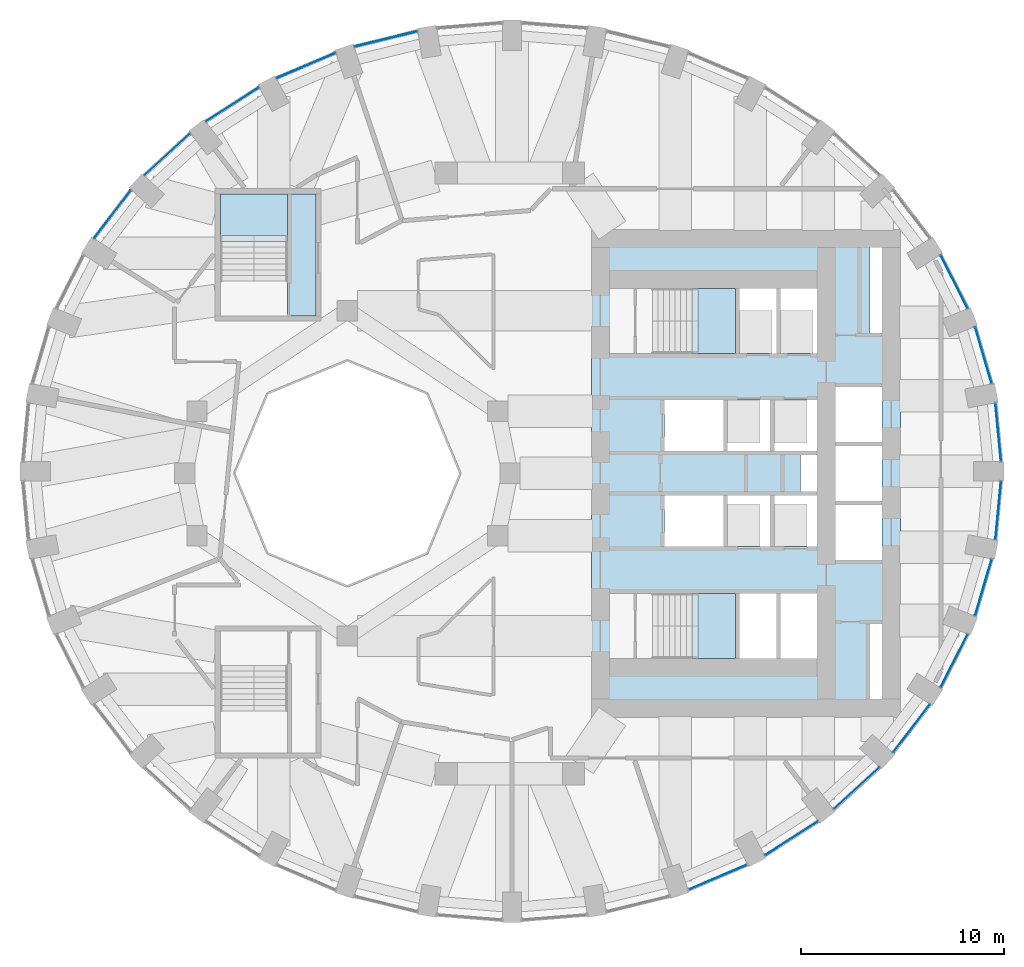
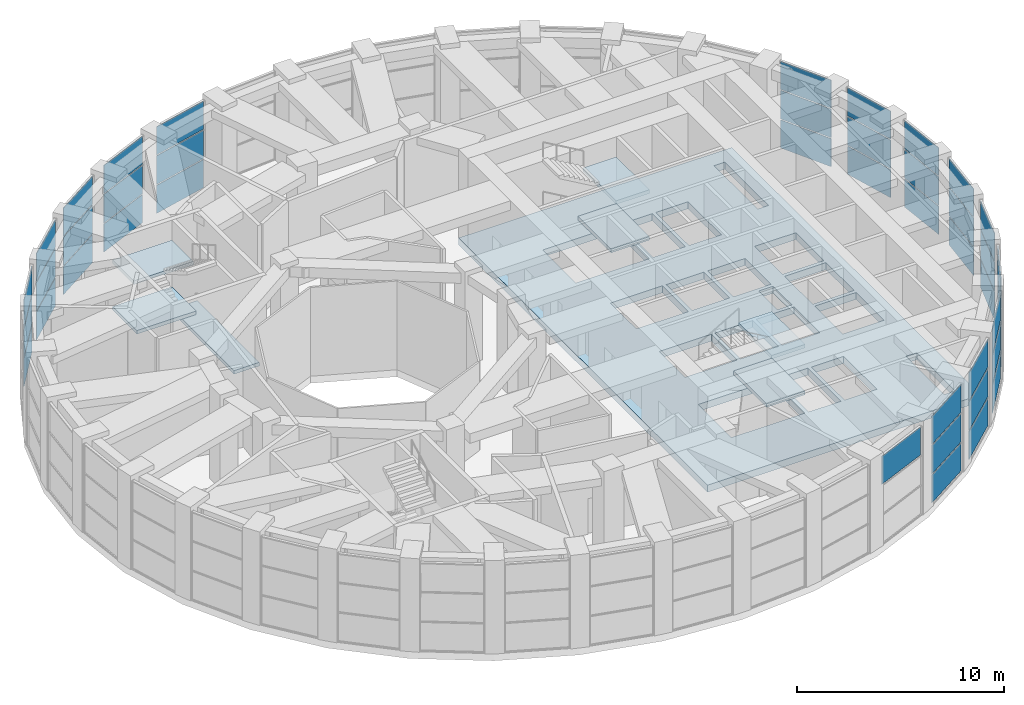
# One storey, part 10 of 17: 43 plates, 8 slabs, 18 elements without a shape of their own.
"""IFC4 building model written with IfcOpenShell, lengths in metres."""

from ifc_helpers import new_model, si_unit, direction, frame, origin, origin_2d, place, context, subcontext, project, spatial, polyline, rectangle, outline, extrude, material, layer, layer_set, type_object, element, aggregate, save


model = new_model("IFC4")

# Units and contexts
model_context = context("Model", 3, precision=1e-05, world=origin(), true_north=direction((0.0, 1.0)))
body_context = subcontext(model_context, "Body", "Model", "MODEL_VIEW")
ifc_project = project(units=[si_unit("LENGTHUNIT", "METRE"), si_unit("AREAUNIT", "SQUARE_METRE"), si_unit("VOLUMEUNIT", "CUBIC_METRE"), si_unit("PLANEANGLEUNIT", "RADIAN"), si_unit("MASSUNIT", "GRAM", prefix="KILO")], contexts=[model_context])

# Site, building, storey
site_placement = place(None, origin())
site = spatial("IfcSite", under=ifc_project, at=site_placement, CompositionType="ELEMENT")
building_placement = place(site_placement, origin())
building = spatial("IfcBuilding", under=site, at=building_placement, Name="Taillehof Tower", CompositionType="ELEMENT")
storey_placement = place(building_placement, frame((0.0, 0.0, 139.60009765625)))
storey = spatial("IfcBuildingStorey", under=building, at=storey_placement, Name="L39", CompositionType="ELEMENT", Elevation=139.60009765625)

# Slab
ifc_material_1 = material(Name="Concrete C40/50", Category="concrete")
ifc_layer_1 = layer(ifc_material_1, 0.409912109375)
ifc_layer_set_1 = layer_set([ifc_layer_1], Name="Core floor slab C40/50 410")
slab_type_1 = type_object("IfcSlabType", Name="Core floor slab C40/50 410", PredefinedType="FLOOR", material=ifc_layer_set_1)
slab_1_placement = place(storey_placement, frame((0.0, 0.0, -0.41015625)))
element("IfcSlab", 1, at=slab_1_placement, inside=storey, type_object=slab_type_1, Name="Core floor L39", PredefinedType="FLOOR", context=body_context, shape_type="SweptSolid", body=[
    extrude(outline(polyline([(4.0, -12.0), (4.0, 12.0), (19.199951171875, 12.0), (19.199951171875, -12.0), (4.0, -12.0)]), holes=[polyline([(7.00048828125, -9.10009765625), (11.10009765625, -9.10009765625), (11.10009765625, -5.89990234375), (7.00048828125, -5.89990234375), (7.00048828125, -9.10009765625)]), polyline([(13.10009765625, -9.10009765625), (13.10009765625, -5.89990234375), (11.300048828125, -5.89990234375), (11.300048828125, -9.10009765625), (13.10009765625, -9.10009765625)]), polyline([(10.5, -3.60009765625), (10.5, -1.10009765625), (7.60009765625, -1.10009765625), (7.60009765625, -3.60009765625), (10.5, -3.60009765625)]), polyline([(12.800048828125, -3.60009765625), (12.800048828125, -1.10009765625), (10.699951171875, -1.10009765625), (10.699951171875, -3.60009765625), (12.800048828125, -3.60009765625)]), polyline([(10.5, 1.10009765625), (10.5, 3.60009765625), (7.60009765625, 3.60009765625), (7.60009765625, 1.10009765625), (10.5, 1.10009765625)]), polyline([(12.800048828125, 1.10009765625), (12.800048828125, 3.60009765625), (10.699951171875, 3.60009765625), (10.699951171875, 1.10009765625), (12.800048828125, 1.10009765625)]), polyline([(15.10009765625, 1.10009765625), (15.10009765625, 3.60009765625), (13.0, 3.60009765625), (13.0, 1.10009765625), (15.10009765625, 1.10009765625)]), polyline([(11.300048828125, 5.89990234375), (13.10009765625, 5.89990234375), (13.10009765625, 9.10009765625), (11.300048828125, 9.10009765625), (11.300048828125, 5.89990234375)]), polyline([(7.00048828125, 5.89990234375), (11.10009765625, 5.89990234375), (11.10009765625, 9.10009765625), (7.00048828125, 9.10009765625), (7.00048828125, 5.89990234375)]), polyline([(18.300048828125, -11.10009765625), (18.300048828125, -7.39990234375), (17.699951171875, -7.39990234375), (17.699951171875, -11.10009765625), (18.300048828125, -11.10009765625)]), polyline([(15.10009765625, -9.10009765625), (15.10009765625, -5.89990234375), (13.300048828125, -5.89990234375), (13.300048828125, -9.10009765625), (15.10009765625, -9.10009765625)]), polyline([(18.300048828125, -4.25), (18.300048828125, -1.550048828125), (16.0, -1.550048828125), (16.0, -4.25), (18.300048828125, -4.25)]), polyline([(15.10009765625, -3.60009765625), (15.10009765625, -1.10009765625), (13.0, -1.10009765625), (13.0, -3.60009765625), (15.10009765625, -3.60009765625)]), polyline([(15.10009765625, -0.89990234375), (15.10009765625, 0.89990234375), (14.300048828125, 0.89990234375), (14.300048828125, -0.89990234375), (15.10009765625, -0.89990234375)]), polyline([(18.300048828125, -1.35009765625), (18.300048828125, 1.35009765625), (16.0, 1.35009765625), (16.0, -1.35009765625), (18.300048828125, -1.35009765625)]), polyline([(18.300048828125, 1.550048828125), (18.300048828125, 4.25), (16.0, 4.25), (16.0, 1.550048828125), (18.300048828125, 1.550048828125)]), polyline([(13.300048828125, 5.89990234375), (15.10009765625, 5.89990234375), (15.10009765625, 9.10009765625), (13.300048828125, 9.10009765625), (13.300048828125, 5.89990234375)]), polyline([(17.699951171875, 6.89990234375), (18.300048828125, 6.89990234375), (18.300048828125, 11.10009765625), (17.699951171875, 11.10009765625), (17.699951171875, 6.89990234375)])]), origin(), (0.0, 0.0, 1.0), 0.41015625),
])

# Curtain wall, plates
ifc_material_2 = material(Name="Aluminium curtain wall with Clear low-emissivity double glazing", Category="aluminium")
curtain_wall_type = type_object("IfcCurtainWallType", Name="Sky lobby curtain wall", PredefinedType="USERDEFINED", material=ifc_material_2)
curtain_wall_1_placement = place(storey_placement, origin())
curtain_wall_1 = element("IfcCurtainWall", 2, at=curtain_wall_1_placement, inside=storey, type_object=curtain_wall_type, Name="Sky lobby L39 bay 1", ObjectType="WINDOW WALL", PredefinedType="USERDEFINED")
ifc_material_3 = material(Name="Clear low-emissivity double glazing", Category="glass")
ifc_layer_2 = layer(ifc_material_3, 0.028076171875)
ifc_layer_set_2 = layer_set([ifc_layer_2], Name="Sky lobby glass panel 28")
plate_type = type_object("IfcPlateType", Name="Sky lobby glass panel 28", PredefinedType="CURTAIN_PANEL", material=ifc_layer_set_2)
plate_1_placement = place(storey_placement, frame((24.015625, 2.023681640625, 0.06005859375), z_axis=(0.0, 0.0, 1.0), x_axis=(-0.095196732748, 0.995458478328, 0.0)))
plate_1 = element("IfcPlate", 3, at=plate_1_placement, type_object=plate_type, Name="CT3C01 panel 1.1", PredefinedType="CURTAIN_PANEL", context=body_context, shape_type="SweptSolid", body=[
    extrude(rectangle(XDim=2.83056640625, YDim=0.028076171875, at=origin_2d()), origin(), (0.0, 0.0, 1.0), 1.64990234375),
])
plate_2_placement = place(storey_placement, frame((24.015625, 2.023681640625, 1.77001953125), z_axis=(0.0, 0.0, 1.0), x_axis=(-0.095196732748, 0.995458478328, 0.0)))
plate_2 = element("IfcPlate", 4, at=plate_2_placement, type_object=plate_type, Name="CT3C01 panel 1.2", PredefinedType="CURTAIN_PANEL", context=body_context, shape_type="SweptSolid", body=[
    extrude(rectangle(XDim=2.83056640625, YDim=0.028076171875, at=origin_2d()), origin(), (0.0, 0.0, 1.0), 1.679931640625),
])
plate_3_placement = place(storey_placement, frame((24.015625, 2.023681640625, 3.510009765625), z_axis=(0.0, 0.0, 1.0), x_axis=(-0.095196732748, 0.995458478328, 0.0)))
plate_3 = element("IfcPlate", 5, at=plate_3_placement, type_object=plate_type, Name="CT3C01 panel 1.3", PredefinedType="CURTAIN_PANEL", context=body_context, shape_type="SweptSolid", body=[
    extrude(rectangle(XDim=2.83056640625, YDim=0.028076171875, at=origin_2d()), origin(), (0.0, 0.0, 1.0), 1.64990234375),
])
aggregate(curtain_wall_1, [plate_1, plate_2, plate_3])

curtain_wall_2_placement = place(storey_placement, origin())
curtain_wall_2 = element("IfcCurtainWall", 6, at=curtain_wall_2_placement, inside=storey, type_object=curtain_wall_type, Name="Sky lobby L39 bay 2", ObjectType="WINDOW WALL", PredefinedType="USERDEFINED")
plate_4_placement = place(storey_placement, frame((23.28564453125, 5.811767578125, 0.06005859375), z_axis=(0.0, 0.0, 1.0), x_axis=(-0.281079610563, 0.959684454665, 0.0)))
plate_4 = element("IfcPlate", 7, at=plate_4_placement, type_object=plate_type, Name="CT3C02 panel 1.1", PredefinedType="CURTAIN_PANEL", context=body_context, shape_type="SweptSolid", body=[
    extrude(rectangle(XDim=2.85107421875, YDim=0.028076171875, at=origin_2d()), origin(), (0.0, 0.0, 1.0), 1.64990234375),
])
plate_5_placement = place(storey_placement, frame((23.28564453125, 5.811767578125, 1.77001953125), z_axis=(0.0, 0.0, 1.0), x_axis=(-0.281079610563, 0.959684454665, 0.0)))
plate_5 = element("IfcPlate", 8, at=plate_5_placement, type_object=plate_type, Name="CT3C02 panel 1.2", PredefinedType="CURTAIN_PANEL", context=body_context, shape_type="SweptSolid", body=[
    extrude(rectangle(XDim=2.85107421875, YDim=0.028076171875, at=origin_2d()), origin(), (0.0, 0.0, 1.0), 1.679931640625),
])
plate_6_placement = place(storey_placement, frame((23.28564453125, 5.811767578125, 3.510009765625), z_axis=(0.0, 0.0, 1.0), x_axis=(-0.281079610563, 0.959684454665, 0.0)))
plate_6 = element("IfcPlate", 9, at=plate_6_placement, type_object=plate_type, Name="CT3C02 panel 1.3", PredefinedType="CURTAIN_PANEL", context=body_context, shape_type="SweptSolid", body=[
    extrude(rectangle(XDim=2.85107421875, YDim=0.028076171875, at=origin_2d()), origin(), (0.0, 0.0, 1.0), 1.64990234375),
])
aggregate(curtain_wall_2, [plate_4, plate_5, plate_6])

curtain_wall_3_placement = place(storey_placement, origin())
curtain_wall_3 = element("IfcCurtainWall", 10, at=curtain_wall_3_placement, inside=storey, type_object=curtain_wall_type, Name="Sky lobby L39 bay 3", ObjectType="WINDOW WALL", PredefinedType="USERDEFINED")
plate_7_placement = place(storey_placement, frame((21.848876953125, 9.423583984375, 0.06005859375), z_axis=(0.0, 0.0, 1.0), x_axis=(-0.454121193276, 0.890939920431, 0.0)))
plate_7 = element("IfcPlate", 11, at=plate_7_placement, type_object=plate_type, Name="CT3C03 panel 1.1", PredefinedType="CURTAIN_PANEL", context=body_context, shape_type="SweptSolid", body=[
    extrude(rectangle(XDim=2.888916015625, YDim=0.028076171875, at=origin_2d()), origin(), (0.0, 0.0, 1.0), 1.64990234375),
])
plate_8_placement = place(storey_placement, frame((21.848876953125, 9.423583984375, 1.77001953125), z_axis=(0.0, 0.0, 1.0), x_axis=(-0.454121193276, 0.890939920431, 0.0)))
plate_8 = element("IfcPlate", 12, at=plate_8_placement, type_object=plate_type, Name="CT3C03 panel 1.2", PredefinedType="CURTAIN_PANEL", context=body_context, shape_type="SweptSolid", body=[
    extrude(rectangle(XDim=2.888916015625, YDim=0.028076171875, at=origin_2d()), origin(), (0.0, 0.0, 1.0), 1.679931640625),
])
plate_9_placement = place(storey_placement, frame((21.848876953125, 9.423583984375, 3.510009765625), z_axis=(0.0, 0.0, 1.0), x_axis=(-0.454121193276, 0.890939920431, 0.0)))
plate_9 = element("IfcPlate", 13, at=plate_9_placement, type_object=plate_type, Name="CT3C03 panel 1.3", PredefinedType="CURTAIN_PANEL", context=body_context, shape_type="SweptSolid", body=[
    extrude(rectangle(XDim=2.888916015625, YDim=0.028076171875, at=origin_2d()), origin(), (0.0, 0.0, 1.0), 1.64990234375),
])
aggregate(curtain_wall_3, [plate_7, plate_8, plate_9])

curtain_wall_4_placement = place(storey_placement, origin())
curtain_wall_4 = element("IfcCurtainWall", 14, at=curtain_wall_4_placement, inside=storey, type_object=curtain_wall_type, Name="Sky lobby L39 bay 11", ObjectType="WINDOW WALL", PredefinedType="USERDEFINED")
plate_10_placement = place(storey_placement, frame((-6.100830078125, 21.369140625, 0.06005859375), z_axis=(0.0, 0.0, 1.0), x_axis=(-0.971246214424, -0.238077279402, 0.0)))
plate_10 = element("IfcPlate", 15, at=plate_10_placement, type_object=plate_type, Name="CT3C11 panel 1.1", PredefinedType="CURTAIN_PANEL", context=body_context, shape_type="SweptSolid", body=[
    extrude(rectangle(XDim=3.13720703125, YDim=0.028076171875, at=origin_2d()), origin(), (0.0, 0.0, 1.0), 1.64990234375),
])
plate_11_placement = place(storey_placement, frame((-6.100830078125, 21.369140625, 1.77001953125), z_axis=(0.0, 0.0, 1.0), x_axis=(-0.971246214424, -0.238077279402, 0.0)))
plate_11 = element("IfcPlate", 16, at=plate_11_placement, type_object=plate_type, Name="CT3C11 panel 1.2", PredefinedType="CURTAIN_PANEL", context=body_context, shape_type="SweptSolid", body=[
    extrude(rectangle(XDim=3.13720703125, YDim=0.028076171875, at=origin_2d()), origin(), (0.0, 0.0, 1.0), 1.679931640625),
])
plate_12_placement = place(storey_placement, frame((-6.100830078125, 21.369140625, 3.510009765625), z_axis=(0.0, 0.0, 1.0), x_axis=(-0.971246214424, -0.238077279402, 0.0)))
plate_12 = element("IfcPlate", 17, at=plate_12_placement, type_object=plate_type, Name="CT3C11 panel 1.3", PredefinedType="CURTAIN_PANEL", context=body_context, shape_type="SweptSolid", body=[
    extrude(rectangle(XDim=3.13720703125, YDim=0.028076171875, at=origin_2d()), origin(), (0.0, 0.0, 1.0), 1.64990234375),
])
aggregate(curtain_wall_4, [plate_10, plate_11, plate_12])

curtain_wall_5_placement = place(storey_placement, origin())
curtain_wall_5 = element("IfcCurtainWall", 18, at=curtain_wall_5_placement, inside=storey, type_object=curtain_wall_type, Name="Sky lobby L39 bay 12", ObjectType="WINDOW WALL", PredefinedType="USERDEFINED")
plate_13_placement = place(storey_placement, frame((-10.027587890625, 20.0615234375, 0.06005859375), z_axis=(0.0, 0.0, 1.0), x_axis=(-0.919803722368, -0.392378786783, 0.0)))
plate_13 = element("IfcPlate", 19, at=plate_13_placement, type_object=plate_type, Name="CT3C12 panel 1.1", PredefinedType="CURTAIN_PANEL", context=body_context, shape_type="SweptSolid", body=[
    extrude(rectangle(XDim=3.101318359375, YDim=0.028076171875, at=origin_2d()), origin(), (0.0, 0.0, 1.0), 1.64990234375),
])
plate_14_placement = place(storey_placement, frame((-10.027587890625, 20.0615234375, 1.77001953125), z_axis=(0.0, 0.0, 1.0), x_axis=(-0.919803722368, -0.392378786783, 0.0)))
plate_14 = element("IfcPlate", 20, at=plate_14_placement, type_object=plate_type, Name="CT3C12 panel 1.2", PredefinedType="CURTAIN_PANEL", context=body_context, shape_type="SweptSolid", body=[
    extrude(rectangle(XDim=3.101318359375, YDim=0.028076171875, at=origin_2d()), origin(), (0.0, 0.0, 1.0), 1.679931640625),
])
plate_15_placement = place(storey_placement, frame((-10.027587890625, 20.0615234375, 3.510009765625), z_axis=(0.0, 0.0, 1.0), x_axis=(-0.919803722368, -0.392378786783, 0.0)))
plate_15 = element("IfcPlate", 21, at=plate_15_placement, type_object=plate_type, Name="CT3C12 panel 1.3", PredefinedType="CURTAIN_PANEL", context=body_context, shape_type="SweptSolid", body=[
    extrude(rectangle(XDim=3.101318359375, YDim=0.028076171875, at=origin_2d()), origin(), (0.0, 0.0, 1.0), 1.64990234375),
])
aggregate(curtain_wall_5, [plate_13, plate_14, plate_15])

curtain_wall_6_placement = place(storey_placement, origin())
curtain_wall_6 = element("IfcCurtainWall", 22, at=curtain_wall_6_placement, inside=storey, type_object=curtain_wall_type, Name="Sky lobby L39 bay 13", ObjectType="WINDOW WALL", PredefinedType="USERDEFINED")
plate_16_placement = place(storey_placement, frame((-13.649169921875, 18.1484375, 0.06005859375), z_axis=(0.0, 0.0, 1.0), x_axis=(-0.842053210263, -0.539394467052, 0.0)))
plate_16 = element("IfcPlate", 23, at=plate_16_placement, type_object=plate_type, Name="CT3C13 panel 1.1", PredefinedType="CURTAIN_PANEL", context=body_context, shape_type="SweptSolid", body=[
    extrude(rectangle(XDim=3.052490234375, YDim=0.028076171875, at=origin_2d()), origin(), (0.0, 0.0, 1.0), 1.64990234375),
])
plate_17_placement = place(storey_placement, frame((-13.649169921875, 18.1484375, 1.77001953125), z_axis=(0.0, 0.0, 1.0), x_axis=(-0.842053210263, -0.539394467052, 0.0)))
plate_17 = element("IfcPlate", 24, at=plate_17_placement, type_object=plate_type, Name="CT3C13 panel 1.2", PredefinedType="CURTAIN_PANEL", context=body_context, shape_type="SweptSolid", body=[
    extrude(rectangle(XDim=3.052490234375, YDim=0.028076171875, at=origin_2d()), origin(), (0.0, 0.0, 1.0), 1.679931640625),
])
plate_18_placement = place(storey_placement, frame((-13.649169921875, 18.1484375, 3.510009765625), z_axis=(0.0, 0.0, 1.0), x_axis=(-0.842053210263, -0.539394467052, 0.0)))
plate_18 = element("IfcPlate", 25, at=plate_18_placement, type_object=plate_type, Name="CT3C13 panel 1.3", PredefinedType="CURTAIN_PANEL", context=body_context, shape_type="SweptSolid", body=[
    extrude(rectangle(XDim=3.052490234375, YDim=0.028076171875, at=origin_2d()), origin(), (0.0, 0.0, 1.0), 1.64990234375),
])
aggregate(curtain_wall_6, [plate_16, plate_17, plate_18])

curtain_wall_7_placement = place(storey_placement, origin())
curtain_wall_7 = element("IfcCurtainWall", 26, at=curtain_wall_7_placement, inside=storey, type_object=curtain_wall_type, Name="Sky lobby L39 bay 14", ObjectType="WINDOW WALL", PredefinedType="USERDEFINED")
plate_19_placement = place(storey_placement, frame((-16.856201171875, 15.686279296875, 0.06005859375), z_axis=(0.0, 0.0, 1.0), x_axis=(-0.737826725413, -0.674990165311, 0.0)))
plate_19 = element("IfcPlate", 27, at=plate_19_placement, type_object=plate_type, Name="CT3C14 panel 1.1", PredefinedType="CURTAIN_PANEL", context=body_context, shape_type="SweptSolid", body=[
    extrude(rectangle(XDim=2.996337890625, YDim=0.028076171875, at=origin_2d()), origin(), (0.0, 0.0, 1.0), 1.64990234375),
])
plate_20_placement = place(storey_placement, frame((-16.856201171875, 15.686279296875, 1.77001953125), z_axis=(0.0, 0.0, 1.0), x_axis=(-0.737826725413, -0.674990165311, 0.0)))
plate_20 = element("IfcPlate", 28, at=plate_20_placement, type_object=plate_type, Name="CT3C14 panel 1.2", PredefinedType="CURTAIN_PANEL", context=body_context, shape_type="SweptSolid", body=[
    extrude(rectangle(XDim=2.996337890625, YDim=0.028076171875, at=origin_2d()), origin(), (0.0, 0.0, 1.0), 1.679931640625),
])
plate_21_placement = place(storey_placement, frame((-16.856201171875, 15.686279296875, 3.510009765625), z_axis=(0.0, 0.0, 1.0), x_axis=(-0.737826725413, -0.674990165311, 0.0)))
plate_21 = element("IfcPlate", 29, at=plate_21_placement, type_object=plate_type, Name="CT3C14 panel 1.3", PredefinedType="CURTAIN_PANEL", context=body_context, shape_type="SweptSolid", body=[
    extrude(rectangle(XDim=2.996337890625, YDim=0.028076171875, at=origin_2d()), origin(), (0.0, 0.0, 1.0), 1.64990234375),
])
aggregate(curtain_wall_7, [plate_19, plate_20, plate_21])

curtain_wall_8_placement = place(storey_placement, origin())
curtain_wall_8 = element("IfcCurtainWall", 30, at=curtain_wall_8_placement, inside=storey, type_object=curtain_wall_type, Name="Sky lobby L39 bay 15", ObjectType="WINDOW WALL", PredefinedType="USERDEFINED")
plate_22_placement = place(storey_placement, frame((-19.550537109375, 12.748779296875, 0.06005859375), z_axis=(0.0, 0.0, 1.0), x_axis=(-0.607790899725, -0.794097111323, 0.0)))
plate_22 = element("IfcPlate", 31, at=plate_22_placement, type_object=plate_type, Name="CT3C15 panel 1.1", PredefinedType="CURTAIN_PANEL", context=body_context, shape_type="SweptSolid", body=[
    extrude(rectangle(XDim=2.939453125, YDim=0.028076171875, at=origin_2d()), origin(), (0.0, 0.0, 1.0), 1.64990234375),
])
plate_23_placement = place(storey_placement, frame((-19.550537109375, 12.748779296875, 1.77001953125), z_axis=(0.0, 0.0, 1.0), x_axis=(-0.607790899725, -0.794097111323, 0.0)))
plate_23 = element("IfcPlate", 32, at=plate_23_placement, type_object=plate_type, Name="CT3C15 panel 1.2", PredefinedType="CURTAIN_PANEL", context=body_context, shape_type="SweptSolid", body=[
    extrude(rectangle(XDim=2.939453125, YDim=0.028076171875, at=origin_2d()), origin(), (0.0, 0.0, 1.0), 1.679931640625),
])
plate_24_placement = place(storey_placement, frame((-19.550537109375, 12.748779296875, 3.510009765625), z_axis=(0.0, 0.0, 1.0), x_axis=(-0.607790899725, -0.794097111323, 0.0)))
plate_24 = element("IfcPlate", 33, at=plate_24_placement, type_object=plate_type, Name="CT3C15 panel 1.3", PredefinedType="CURTAIN_PANEL", context=body_context, shape_type="SweptSolid", body=[
    extrude(rectangle(XDim=2.939453125, YDim=0.028076171875, at=origin_2d()), origin(), (0.0, 0.0, 1.0), 1.64990234375),
])
aggregate(curtain_wall_8, [plate_22, plate_23, plate_24])

# Curtain wall, plate
curtain_wall_9_placement = place(storey_placement, origin())
curtain_wall_9 = element("IfcCurtainWall", 34, at=curtain_wall_9_placement, inside=storey, type_object=curtain_wall_type, Name="Sky lobby L39 bay 30", ObjectType="WINDOW WALL", PredefinedType="USERDEFINED")
plate_25_placement = place(storey_placement, frame((10.2275390625, -19.861572265625, 3.510009765625), z_axis=(0.0, 0.0, 1.0), x_axis=(0.919803722368, 0.392378786783, 0.0)))
plate_25 = element("IfcPlate", 35, at=plate_25_placement, type_object=plate_type, Name="CT3C30 panel 1.3", PredefinedType="CURTAIN_PANEL", context=body_context, shape_type="SweptSolid", body=[
    extrude(rectangle(XDim=3.101318359375, YDim=0.028076171875, at=origin_2d()), origin(), (0.0, 0.0, 1.0), 1.64990234375),
])
aggregate(curtain_wall_9, [plate_25])

# Curtain wall, plates
curtain_wall_10_placement = place(storey_placement, origin())
curtain_wall_10 = element("IfcCurtainWall", 36, at=curtain_wall_10_placement, inside=storey, type_object=curtain_wall_type, Name="Sky lobby L39 bay 31", ObjectType="WINDOW WALL", PredefinedType="USERDEFINED")
plate_26_placement = place(storey_placement, frame((13.849365234375, -17.948486328125, 0.06005859375), z_axis=(0.0, 0.0, 1.0), x_axis=(0.842053210263, 0.539394467052, 0.0)))
plate_26 = element("IfcPlate", 37, at=plate_26_placement, type_object=plate_type, Name="CT3C31 panel 1.1", PredefinedType="CURTAIN_PANEL", context=body_context, shape_type="SweptSolid", body=[
    extrude(rectangle(XDim=3.052490234375, YDim=0.028076171875, at=origin_2d()), origin(), (0.0, 0.0, 1.0), 1.64990234375),
])
plate_27_placement = place(storey_placement, frame((13.849365234375, -17.948486328125, 1.77001953125), z_axis=(0.0, 0.0, 1.0), x_axis=(0.842053210263, 0.539394467052, 0.0)))
plate_27 = element("IfcPlate", 38, at=plate_27_placement, type_object=plate_type, Name="CT3C31 panel 1.2", PredefinedType="CURTAIN_PANEL", context=body_context, shape_type="SweptSolid", body=[
    extrude(rectangle(XDim=3.052490234375, YDim=0.028076171875, at=origin_2d()), origin(), (0.0, 0.0, 1.0), 1.679931640625),
])
plate_28_placement = place(storey_placement, frame((13.849365234375, -17.948486328125, 3.510009765625), z_axis=(0.0, 0.0, 1.0), x_axis=(0.842053210263, 0.539394467052, 0.0)))
plate_28 = element("IfcPlate", 39, at=plate_28_placement, type_object=plate_type, Name="CT3C31 panel 1.3", PredefinedType="CURTAIN_PANEL", context=body_context, shape_type="SweptSolid", body=[
    extrude(rectangle(XDim=3.052490234375, YDim=0.028076171875, at=origin_2d()), origin(), (0.0, 0.0, 1.0), 1.64990234375),
])
aggregate(curtain_wall_10, [plate_26, plate_27, plate_28])

curtain_wall_11_placement = place(storey_placement, origin())
curtain_wall_11 = element("IfcCurtainWall", 40, at=curtain_wall_11_placement, inside=storey, type_object=curtain_wall_type, Name="Sky lobby L39 bay 32", ObjectType="WINDOW WALL", PredefinedType="USERDEFINED")
plate_29_placement = place(storey_placement, frame((17.056396484375, -15.486328125, 0.06005859375), z_axis=(0.0, 0.0, 1.0), x_axis=(0.737826725413, 0.674990165311, 0.0)))
plate_29 = element("IfcPlate", 41, at=plate_29_placement, type_object=plate_type, Name="CT3C32 panel 1.1", PredefinedType="CURTAIN_PANEL", context=body_context, shape_type="SweptSolid", body=[
    extrude(rectangle(XDim=2.996337890625, YDim=0.028076171875, at=origin_2d()), origin(), (0.0, 0.0, 1.0), 1.64990234375),
])
plate_30_placement = place(storey_placement, frame((17.056396484375, -15.486328125, 1.77001953125), z_axis=(0.0, 0.0, 1.0), x_axis=(0.737826725413, 0.674990165311, 0.0)))
plate_30 = element("IfcPlate", 42, at=plate_30_placement, type_object=plate_type, Name="CT3C32 panel 1.2", PredefinedType="CURTAIN_PANEL", context=body_context, shape_type="SweptSolid", body=[
    extrude(rectangle(XDim=2.996337890625, YDim=0.028076171875, at=origin_2d()), origin(), (0.0, 0.0, 1.0), 1.679931640625),
])
plate_31_placement = place(storey_placement, frame((17.056396484375, -15.486328125, 3.510009765625), z_axis=(0.0, 0.0, 1.0), x_axis=(0.737826725413, 0.674990165311, 0.0)))
plate_31 = element("IfcPlate", 43, at=plate_31_placement, type_object=plate_type, Name="CT3C32 panel 1.3", PredefinedType="CURTAIN_PANEL", context=body_context, shape_type="SweptSolid", body=[
    extrude(rectangle(XDim=2.996337890625, YDim=0.028076171875, at=origin_2d()), origin(), (0.0, 0.0, 1.0), 1.64990234375),
])
aggregate(curtain_wall_11, [plate_29, plate_30, plate_31])

curtain_wall_12_placement = place(storey_placement, origin())
curtain_wall_12 = element("IfcCurtainWall", 44, at=curtain_wall_12_placement, inside=storey, type_object=curtain_wall_type, Name="Sky lobby L39 bay 33", ObjectType="WINDOW WALL", PredefinedType="USERDEFINED")
plate_32_placement = place(storey_placement, frame((19.75048828125, -12.548583984375, 0.06005859375), z_axis=(0.0, 0.0, 1.0), x_axis=(0.607790899725, 0.794097111323, 0.0)))
plate_32 = element("IfcPlate", 45, at=plate_32_placement, type_object=plate_type, Name="CT3C33 panel 1.1", PredefinedType="CURTAIN_PANEL", context=body_context, shape_type="SweptSolid", body=[
    extrude(rectangle(XDim=2.939453125, YDim=0.028076171875, at=origin_2d()), origin(), (0.0, 0.0, 1.0), 1.64990234375),
])
plate_33_placement = place(storey_placement, frame((19.75048828125, -12.548583984375, 1.77001953125), z_axis=(0.0, 0.0, 1.0), x_axis=(0.607790899725, 0.794097111323, 0.0)))
plate_33 = element("IfcPlate", 46, at=plate_33_placement, type_object=plate_type, Name="CT3C33 panel 1.2", PredefinedType="CURTAIN_PANEL", context=body_context, shape_type="SweptSolid", body=[
    extrude(rectangle(XDim=2.939453125, YDim=0.028076171875, at=origin_2d()), origin(), (0.0, 0.0, 1.0), 1.679931640625),
])
plate_34_placement = place(storey_placement, frame((19.75048828125, -12.548583984375, 3.510009765625), z_axis=(0.0, 0.0, 1.0), x_axis=(0.607790899725, 0.794097111323, 0.0)))
plate_34 = element("IfcPlate", 47, at=plate_34_placement, type_object=plate_type, Name="CT3C33 panel 1.3", PredefinedType="CURTAIN_PANEL", context=body_context, shape_type="SweptSolid", body=[
    extrude(rectangle(XDim=2.939453125, YDim=0.028076171875, at=origin_2d()), origin(), (0.0, 0.0, 1.0), 1.64990234375),
])
aggregate(curtain_wall_12, [plate_32, plate_33, plate_34])

curtain_wall_13_placement = place(storey_placement, origin())
curtain_wall_13 = element("IfcCurtainWall", 48, at=curtain_wall_13_placement, inside=storey, type_object=curtain_wall_type, Name="Sky lobby L39 bay 34", ObjectType="WINDOW WALL", PredefinedType="USERDEFINED")
plate_35_placement = place(storey_placement, frame((21.848876953125, -9.2236328125, 0.06005859375), z_axis=(0.0, 0.0, 1.0), x_axis=(0.454121193276, 0.890939920431, 0.0)))
plate_35 = element("IfcPlate", 49, at=plate_35_placement, type_object=plate_type, Name="CT3C34 panel 1.1", PredefinedType="CURTAIN_PANEL", context=body_context, shape_type="SweptSolid", body=[
    extrude(rectangle(XDim=2.888916015625, YDim=0.028076171875, at=origin_2d()), origin(), (0.0, 0.0, 1.0), 1.64990234375),
])
plate_36_placement = place(storey_placement, frame((21.848876953125, -9.2236328125, 1.77001953125), z_axis=(0.0, 0.0, 1.0), x_axis=(0.454121193276, 0.890939920431, 0.0)))
plate_36 = element("IfcPlate", 50, at=plate_36_placement, type_object=plate_type, Name="CT3C34 panel 1.2", PredefinedType="CURTAIN_PANEL", context=body_context, shape_type="SweptSolid", body=[
    extrude(rectangle(XDim=2.888916015625, YDim=0.028076171875, at=origin_2d()), origin(), (0.0, 0.0, 1.0), 1.679931640625),
])
plate_37_placement = place(storey_placement, frame((21.848876953125, -9.2236328125, 3.510009765625), z_axis=(0.0, 0.0, 1.0), x_axis=(0.454121193276, 0.890939920431, 0.0)))
plate_37 = element("IfcPlate", 51, at=plate_37_placement, type_object=plate_type, Name="CT3C34 panel 1.3", PredefinedType="CURTAIN_PANEL", context=body_context, shape_type="SweptSolid", body=[
    extrude(rectangle(XDim=2.888916015625, YDim=0.028076171875, at=origin_2d()), origin(), (0.0, 0.0, 1.0), 1.64990234375),
])
aggregate(curtain_wall_13, [plate_35, plate_36, plate_37])

curtain_wall_14_placement = place(storey_placement, origin())
curtain_wall_14 = element("IfcCurtainWall", 52, at=curtain_wall_14_placement, inside=storey, type_object=curtain_wall_type, Name="Sky lobby L39 bay 35", ObjectType="WINDOW WALL", PredefinedType="USERDEFINED")
plate_38_placement = place(storey_placement, frame((23.28564453125, -5.611572265625, 0.06005859375), z_axis=(0.0, 0.0, 1.0), x_axis=(0.281079610563, 0.959684454665, 0.0)))
plate_38 = element("IfcPlate", 53, at=plate_38_placement, type_object=plate_type, Name="CT3C35 panel 1.1", PredefinedType="CURTAIN_PANEL", context=body_context, shape_type="SweptSolid", body=[
    extrude(rectangle(XDim=2.85107421875, YDim=0.028076171875, at=origin_2d()), origin(), (0.0, 0.0, 1.0), 1.64990234375),
])
plate_39_placement = place(storey_placement, frame((23.28564453125, -5.611572265625, 1.77001953125), z_axis=(0.0, 0.0, 1.0), x_axis=(0.281079610563, 0.959684454665, 0.0)))
plate_39 = element("IfcPlate", 54, at=plate_39_placement, type_object=plate_type, Name="CT3C35 panel 1.2", PredefinedType="CURTAIN_PANEL", context=body_context, shape_type="SweptSolid", body=[
    extrude(rectangle(XDim=2.85107421875, YDim=0.028076171875, at=origin_2d()), origin(), (0.0, 0.0, 1.0), 1.679931640625),
])
plate_40_placement = place(storey_placement, frame((23.28564453125, -5.611572265625, 3.510009765625), z_axis=(0.0, 0.0, 1.0), x_axis=(0.281079610563, 0.959684454665, 0.0)))
plate_40 = element("IfcPlate", 55, at=plate_40_placement, type_object=plate_type, Name="CT3C35 panel 1.3", PredefinedType="CURTAIN_PANEL", context=body_context, shape_type="SweptSolid", body=[
    extrude(rectangle(XDim=2.85107421875, YDim=0.028076171875, at=origin_2d()), origin(), (0.0, 0.0, 1.0), 1.64990234375),
])
aggregate(curtain_wall_14, [plate_38, plate_39, plate_40])

curtain_wall_15_placement = place(storey_placement, origin())
curtain_wall_15 = element("IfcCurtainWall", 56, at=curtain_wall_15_placement, inside=storey, type_object=curtain_wall_type, Name="Sky lobby L39 bay 36", ObjectType="WINDOW WALL", PredefinedType="USERDEFINED")
plate_41_placement = place(storey_placement, frame((24.015625, -1.82373046875, 0.06005859375), z_axis=(0.0, 0.0, 1.0), x_axis=(0.095196732748, 0.995458478328, 0.0)))
plate_41 = element("IfcPlate", 57, at=plate_41_placement, type_object=plate_type, Name="CT3C36 panel 1.1", PredefinedType="CURTAIN_PANEL", context=body_context, shape_type="SweptSolid", body=[
    extrude(rectangle(XDim=2.83056640625, YDim=0.028076171875, at=origin_2d()), origin(), (0.0, 0.0, 1.0), 1.64990234375),
])
plate_42_placement = place(storey_placement, frame((24.015625, -1.82373046875, 1.77001953125), z_axis=(0.0, 0.0, 1.0), x_axis=(0.095196732748, 0.995458478328, 0.0)))
plate_42 = element("IfcPlate", 58, at=plate_42_placement, type_object=plate_type, Name="CT3C36 panel 1.2", PredefinedType="CURTAIN_PANEL", context=body_context, shape_type="SweptSolid", body=[
    extrude(rectangle(XDim=2.83056640625, YDim=0.028076171875, at=origin_2d()), origin(), (0.0, 0.0, 1.0), 1.679931640625),
])
plate_43_placement = place(storey_placement, frame((24.015625, -1.82373046875, 3.510009765625), z_axis=(0.0, 0.0, 1.0), x_axis=(0.095196732748, 0.995458478328, 0.0)))
plate_43 = element("IfcPlate", 59, at=plate_43_placement, type_object=plate_type, Name="CT3C36 panel 1.3", PredefinedType="CURTAIN_PANEL", context=body_context, shape_type="SweptSolid", body=[
    extrude(rectangle(XDim=2.83056640625, YDim=0.028076171875, at=origin_2d()), origin(), (0.0, 0.0, 1.0), 1.64990234375),
])
aggregate(curtain_wall_15, [plate_41, plate_42, plate_43])

# Stair, slabs
ifc_material_4 = material(Name="Concrete C40/50", Category="concrete")
stair_type = type_object("IfcStairType", Name="Exit stair half-turn", PredefinedType="HALF_TURN_STAIR", material=ifc_material_4)
stair_1_placement = place(storey_placement, origin())
stair_1 = element("IfcStair", 60, at=stair_1_placement, inside=storey, type_object=stair_type, Name="Exit stair S1", PredefinedType="HALF_TURN_STAIR")
ifc_material_5 = material(Name="Concrete C40/50", Category="concrete")
ifc_layer_3 = layer(ifc_material_5, 0.2099609375)
ifc_layer_set_3 = layer_set([ifc_layer_3], Name="Stair landing C40/50 210")
slab_type_2 = type_object("IfcSlabType", Name="Stair landing C40/50 210", PredefinedType="LANDING", material=ifc_layer_set_3)
slab_2_placement = place(storey_placement, frame((0.0, 0.0, 1.083984375)))
slab_2 = element("IfcSlab", 61, at=slab_2_placement, type_object=slab_type_2, Name="S1 landing 1", PredefinedType="LANDING", context=body_context, shape_type="SweptSolid", body=[
    extrude(outline(polyline([(8.9599609375, 5.89990234375), (11.10009765625, 5.89990234375), (11.10009765625, 9.10009765625), (8.9599609375, 9.10009765625), (8.9599609375, 5.89990234375)])), origin(), (0.0, 0.0, 1.0), 0.2099609375),
])
slab_3_placement = place(storey_placement, frame((0.0, 0.0, 3.833984375)))
slab_3 = element("IfcSlab", 62, at=slab_3_placement, type_object=slab_type_2, Name="S1 landing 3", PredefinedType="LANDING", context=body_context, shape_type="SweptSolid", body=[
    extrude(outline(polyline([(9.239990234375, 5.89990234375), (11.10009765625, 5.89990234375), (11.10009765625, 9.10009765625), (9.239990234375, 9.10009765625), (9.239990234375, 5.89990234375)])), origin(), (0.0, 0.0, 1.0), 0.2099609375),
])
aggregate(stair_1, [slab_2, slab_3])

stair_2_placement = place(storey_placement, origin())
stair_2 = element("IfcStair", 63, at=stair_2_placement, inside=storey, type_object=stair_type, Name="Exit stair S2", PredefinedType="HALF_TURN_STAIR")
slab_4_placement = place(storey_placement, frame((0.0, 0.0, 1.083984375)))
slab_4 = element("IfcSlab", 64, at=slab_4_placement, type_object=slab_type_2, Name="S2 landing 1", PredefinedType="LANDING", context=body_context, shape_type="SweptSolid", body=[
    extrude(outline(polyline([(8.9599609375, -5.89990234375), (11.10009765625, -5.89990234375), (11.10009765625, -9.10009765625), (8.9599609375, -9.10009765625), (8.9599609375, -5.89990234375)])), origin(), (0.0, 0.0, 1.0), 0.2099609375),
])
slab_5_placement = place(storey_placement, frame((0.0, 0.0, 3.833984375)))
slab_5 = element("IfcSlab", 65, at=slab_5_placement, type_object=slab_type_2, Name="S2 landing 3", PredefinedType="LANDING", context=body_context, shape_type="SweptSolid", body=[
    extrude(outline(polyline([(9.239990234375, -5.89990234375), (11.10009765625, -5.89990234375), (11.10009765625, -9.10009765625), (9.239990234375, -9.10009765625), (9.239990234375, -5.89990234375)])), origin(), (0.0, 0.0, 1.0), 0.2099609375),
])
aggregate(stair_2, [slab_4, slab_5])

stair_3_placement = place(storey_placement, origin())
stair_3 = element("IfcStair", 66, at=stair_3_placement, inside=storey, type_object=stair_type, Name="Exit stair S3", PredefinedType="HALF_TURN_STAIR")
slab_6_placement = place(storey_placement, frame((0.0, 0.0, 1.083984375)))
slab_6 = element("IfcSlab", 67, at=slab_6_placement, type_object=slab_type_2, Name="S3 landing 1", PredefinedType="LANDING", context=body_context, shape_type="SweptSolid", body=[
    extrude(outline(polyline([(-14.25, 11.409912109375), (-14.25, 13.75), (-10.949951171875, 13.75), (-10.949951171875, 11.409912109375), (-14.25, 11.409912109375)])), origin(), (0.0, 0.0, 1.0), 0.2099609375),
])
slab_7_placement = place(storey_placement, frame((0.0, 0.0, 3.833984375)))
slab_7 = element("IfcSlab", 68, at=slab_7_placement, type_object=slab_type_2, Name="S3 landing 3", PredefinedType="LANDING", context=body_context, shape_type="SweptSolid", body=[
    extrude(outline(polyline([(-14.25, 11.68994140625), (-14.25, 13.75), (-10.949951171875, 13.75), (-10.949951171875, 11.68994140625), (-14.25, 11.68994140625)])), origin(), (0.0, 0.0, 1.0), 0.2099609375),
])
aggregate(stair_3, [slab_6, slab_7])

# Slab
slab_8_placement = place(storey_placement, frame((0.0, 0.0, -0.210205078125)))
element("IfcSlab", 69, at=slab_8_placement, inside=storey, type_object=slab_type_2, Name="Stair lobby S3 floor", PredefinedType="LANDING", context=body_context, shape_type="SweptSolid", body=[
    extrude(outline(polyline([(-10.949951171875, 7.75), (-9.550048828125, 7.75), (-9.550048828125, 13.75), (-10.949951171875, 13.75), (-10.949951171875, 7.75)])), origin(), (0.0, 0.0, 1.0), 0.210205078125),
])

save(model, "model.ifc")
